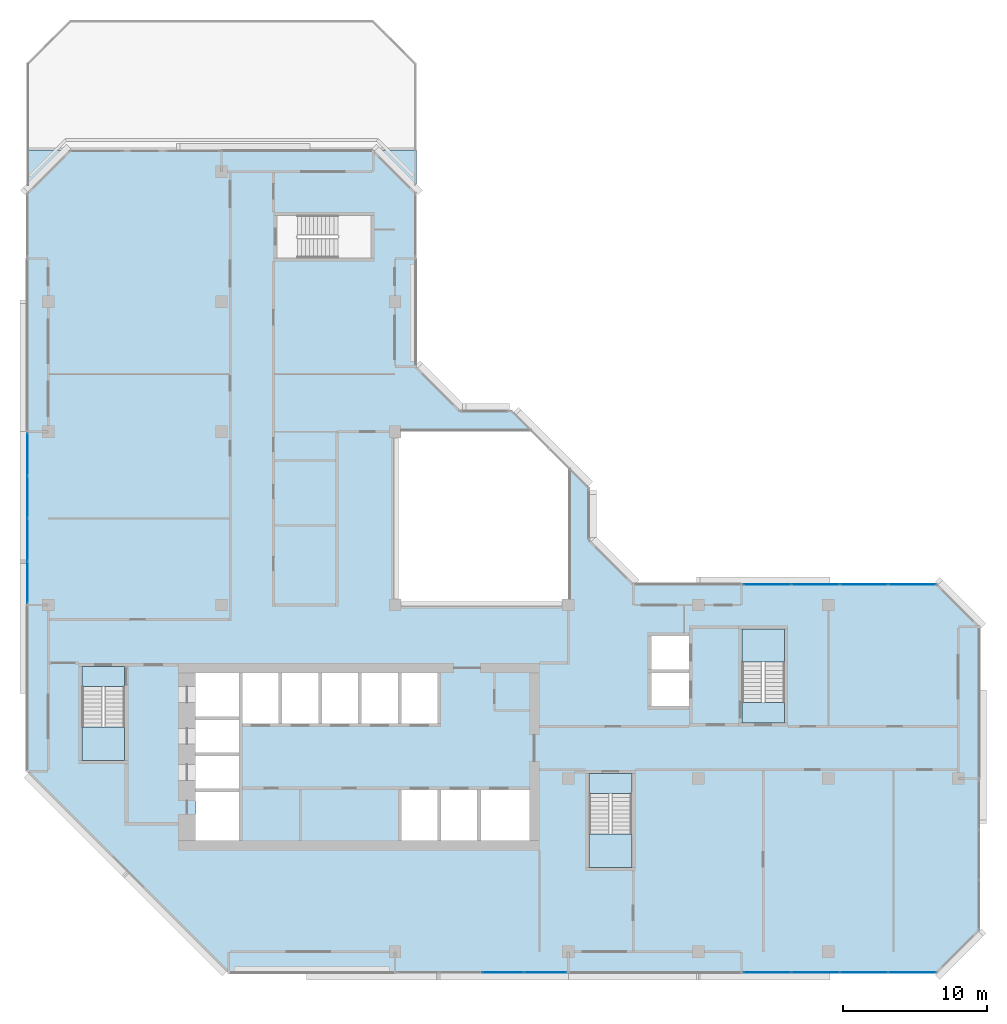
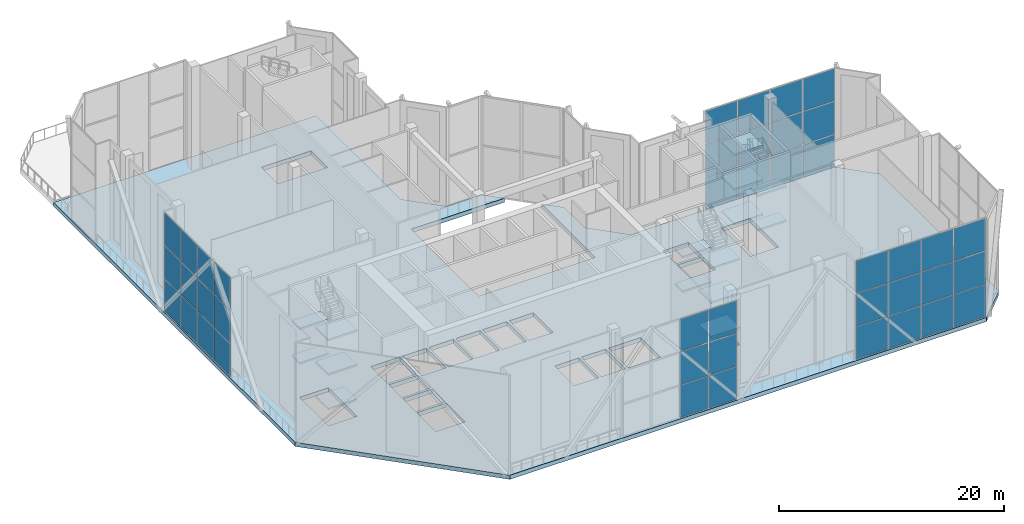
# One storey, part 8 of 18: 42 plates, 16 slabs, 7 elements without a shape of their own.
"""IFC4 building model written with IfcOpenShell, lengths in metres."""

from ifc_helpers import new_model, si_unit, direction, frame, origin, origin_2d, place, context, subcontext, project, spatial, polyline, rectangle, outline, extrude, material, layer, layer_set, type_object, element, aggregate, save


model = new_model("IFC4")

# Units and contexts
model_context = context("Model", 3, precision=1e-05, world=origin(), true_north=direction((0.0, 1.0)))
body_context = subcontext(model_context, "Body", "Model", "MODEL_VIEW")
ifc_project = project(units=[si_unit("LENGTHUNIT", "METRE"), si_unit("AREAUNIT", "SQUARE_METRE"), si_unit("VOLUMEUNIT", "CUBIC_METRE"), si_unit("PLANEANGLEUNIT", "RADIAN"), si_unit("MASSUNIT", "GRAM", prefix="KILO")], contexts=[model_context])

# Site, building, storey
site_placement = place(None, origin())
site = spatial("IfcSite", under=ifc_project, at=site_placement, CompositionType="ELEMENT")
building_placement = place(site_placement, origin())
building = spatial("IfcBuilding", under=site, at=building_placement, Name="Chenar Terraces", CompositionType="ELEMENT")
storey_placement = place(building_placement, frame((0.0, 0.0, 262.14990234375)))
storey = spatial("IfcBuildingStorey", under=building, at=storey_placement, Name="L62", CompositionType="ELEMENT", Elevation=262.14990234375)

# Stair, slabs
ifc_material_1 = material(Name="Reinforced concrete C40/50", Category="concrete")
stair_type = type_object("IfcStairType", Name="Core stair 1400 half-turn", PredefinedType="HALF_TURN_STAIR", material=ifc_material_1)
placement_1 = place(storey_placement, origin())
stair_1 = element("IfcStair", 1, at=placement_1, inside=storey, type_object=stair_type, Name="L62 Stair 1", PredefinedType="HALF_TURN_STAIR")
ifc_material_2 = material(Name="Reinforced concrete C40/50", Category="concrete")
ifc_layer_1 = layer(ifc_material_2, 0.199951171875)
ifc_layer_set_1 = layer_set([ifc_layer_1], Name="Reinforced concrete C40/50")
slab_type_1 = type_object("IfcSlabType", Name="Core stair landing 200", PredefinedType="LANDING", material=ifc_layer_set_1)
placement_2 = place(storey_placement, frame((0.0, 0.0, 1.675048828125)))
slab_1 = element("IfcSlab", 2, at=placement_2, type_object=slab_type_1, Name="ST1 landing 1", PredefinedType="LANDING", context=body_context, shape_type="SweptSolid", body=[
    extrude(outline(polyline([(2.35009765625, 15.550048828125), (2.35009765625, 13.25), (5.300048828125, 13.25), (5.300048828125, 15.550048828125), (2.35009765625, 15.550048828125)])), origin(), (0.0, 0.0, 1.0), 0.199951171875),
])
placement_3 = place(storey_placement, frame((0.0, 0.0, 3.550048828125)))
slab_2 = element("IfcSlab", 3, at=placement_3, type_object=slab_type_1, Name="ST1 landing 2", PredefinedType="LANDING", context=body_context, shape_type="SweptSolid", body=[
    extrude(outline(polyline([(2.35009765625, 19.75), (2.35009765625, 18.35009765625), (5.300048828125, 18.35009765625), (5.300048828125, 19.75), (2.35009765625, 19.75)])), origin(), (0.0, 0.0, 1.0), 0.199951171875),
])
placement_4 = place(storey_placement, frame((0.0, 0.0, 5.425048828125)))
slab_3 = element("IfcSlab", 4, at=placement_4, type_object=slab_type_1, Name="ST1 landing 3", PredefinedType="LANDING", context=body_context, shape_type="SweptSolid", body=[
    extrude(outline(polyline([(2.35009765625, 15.550048828125), (2.35009765625, 13.25), (5.300048828125, 13.25), (5.300048828125, 15.550048828125), (2.35009765625, 15.550048828125)])), origin(), (0.0, 0.0, 1.0), 0.199951171875),
])
placement_5 = place(storey_placement, frame((0.0, 0.0, 7.300048828125)))
slab_4 = element("IfcSlab", 5, at=placement_5, type_object=slab_type_1, Name="ST1 landing 4", PredefinedType="LANDING", context=body_context, shape_type="SweptSolid", body=[
    extrude(outline(polyline([(2.35009765625, 19.75), (2.35009765625, 18.35009765625), (5.300048828125, 18.35009765625), (5.300048828125, 19.75), (2.35009765625, 19.75)])), origin(), (0.0, 0.0, 1.0), 0.199951171875),
])
placement_6 = place(storey_placement, frame((0.0, 0.0, 9.175048828125)))
slab_5 = element("IfcSlab", 6, at=placement_6, type_object=slab_type_1, Name="ST1 landing 5", PredefinedType="LANDING", context=body_context, shape_type="SweptSolid", body=[
    extrude(outline(polyline([(2.35009765625, 15.550048828125), (2.35009765625, 13.25), (5.300048828125, 13.25), (5.300048828125, 15.550048828125), (2.35009765625, 15.550048828125)])), origin(), (0.0, 0.0, 1.0), 0.199951171875),
])
aggregate(stair_1, [slab_1, slab_2, slab_3, slab_4, slab_5])

stair_2 = element("IfcStair", 7, at=placement_1, inside=storey, type_object=stair_type, Name="L62 Stair 2", PredefinedType="HALF_TURN_STAIR")
slab_6 = element("IfcSlab", 8, at=placement_2, type_object=slab_type_1, Name="ST2 landing 1", PredefinedType="LANDING", context=body_context, shape_type="SweptSolid", body=[
    extrude(outline(polyline([(37.449951171875, 8.14990234375), (37.449951171875, 5.85009765625), (40.39990234375, 5.85009765625), (40.39990234375, 8.14990234375), (37.449951171875, 8.14990234375)])), origin(), (0.0, 0.0, 1.0), 0.199951171875),
])
slab_7 = element("IfcSlab", 9, at=placement_3, type_object=slab_type_1, Name="ST2 landing 2", PredefinedType="LANDING", context=body_context, shape_type="SweptSolid", body=[
    extrude(outline(polyline([(37.449951171875, 12.35009765625), (37.449951171875, 10.949951171875), (40.39990234375, 10.949951171875), (40.39990234375, 12.35009765625), (37.449951171875, 12.35009765625)])), origin(), (0.0, 0.0, 1.0), 0.199951171875),
])
slab_8 = element("IfcSlab", 10, at=placement_4, type_object=slab_type_1, Name="ST2 landing 3", PredefinedType="LANDING", context=body_context, shape_type="SweptSolid", body=[
    extrude(outline(polyline([(37.449951171875, 8.14990234375), (37.449951171875, 5.85009765625), (40.39990234375, 5.85009765625), (40.39990234375, 8.14990234375), (37.449951171875, 8.14990234375)])), origin(), (0.0, 0.0, 1.0), 0.199951171875),
])
slab_9 = element("IfcSlab", 11, at=placement_5, type_object=slab_type_1, Name="ST2 landing 4", PredefinedType="LANDING", context=body_context, shape_type="SweptSolid", body=[
    extrude(outline(polyline([(37.449951171875, 12.35009765625), (37.449951171875, 10.949951171875), (40.39990234375, 10.949951171875), (40.39990234375, 12.35009765625), (37.449951171875, 12.35009765625)])), origin(), (0.0, 0.0, 1.0), 0.199951171875),
])
slab_10 = element("IfcSlab", 12, at=placement_6, type_object=slab_type_1, Name="ST2 landing 5", PredefinedType="LANDING", context=body_context, shape_type="SweptSolid", body=[
    extrude(outline(polyline([(37.449951171875, 8.14990234375), (37.449951171875, 5.85009765625), (40.39990234375, 5.85009765625), (40.39990234375, 8.14990234375), (37.449951171875, 8.14990234375)])), origin(), (0.0, 0.0, 1.0), 0.199951171875),
])
aggregate(stair_2, [slab_6, slab_7, slab_8, slab_9, slab_10])

stair_3 = element("IfcStair", 13, at=placement_1, inside=storey, type_object=stair_type, Name="L62 Stair 3", PredefinedType="HALF_TURN_STAIR")
slab_11 = element("IfcSlab", 14, at=placement_2, type_object=slab_type_1, Name="ST3 landing 1", PredefinedType="LANDING", context=body_context, shape_type="SweptSolid", body=[
    extrude(outline(polyline([(50.97509765625, 20.050048828125), (50.97509765625, 22.35009765625), (48.02490234375, 22.35009765625), (48.02490234375, 20.050048828125), (50.97509765625, 20.050048828125)])), origin(), (0.0, 0.0, 1.0), 0.199951171875),
])
slab_12 = element("IfcSlab", 15, at=placement_3, type_object=slab_type_1, Name="ST3 landing 2", PredefinedType="LANDING", context=body_context, shape_type="SweptSolid", body=[
    extrude(outline(polyline([(50.97509765625, 15.85009765625), (50.97509765625, 17.25), (48.02490234375, 17.25), (48.02490234375, 15.85009765625), (50.97509765625, 15.85009765625)])), origin(), (0.0, 0.0, 1.0), 0.199951171875),
])
slab_13 = element("IfcSlab", 16, at=placement_4, type_object=slab_type_1, Name="ST3 landing 3", PredefinedType="LANDING", context=body_context, shape_type="SweptSolid", body=[
    extrude(outline(polyline([(50.97509765625, 20.050048828125), (50.97509765625, 22.35009765625), (48.02490234375, 22.35009765625), (48.02490234375, 20.050048828125), (50.97509765625, 20.050048828125)])), origin(), (0.0, 0.0, 1.0), 0.199951171875),
])
slab_14 = element("IfcSlab", 17, at=placement_5, type_object=slab_type_1, Name="ST3 landing 4", PredefinedType="LANDING", context=body_context, shape_type="SweptSolid", body=[
    extrude(outline(polyline([(50.97509765625, 15.85009765625), (50.97509765625, 17.25), (48.02490234375, 17.25), (48.02490234375, 15.85009765625), (50.97509765625, 15.85009765625)])), origin(), (0.0, 0.0, 1.0), 0.199951171875),
])
slab_15 = element("IfcSlab", 18, at=placement_6, type_object=slab_type_1, Name="ST3 landing 5", PredefinedType="LANDING", context=body_context, shape_type="SweptSolid", body=[
    extrude(outline(polyline([(50.97509765625, 20.050048828125), (50.97509765625, 22.35009765625), (48.02490234375, 22.35009765625), (48.02490234375, 20.050048828125), (50.97509765625, 20.050048828125)])), origin(), (0.0, 0.0, 1.0), 0.199951171875),
])
aggregate(stair_3, [slab_11, slab_12, slab_13, slab_14, slab_15])

# Slab
ifc_material_3 = material(Name="Concrete C40/50", Category="concrete")
ifc_layer_2 = layer(ifc_material_3, 0.449951171875)
ifc_layer_set_2 = layer_set([ifc_layer_2], Name="Concrete C40/50")
slab_type_2 = type_object("IfcSlabType", Name="Floor slab 450 Concrete C40/50", PredefinedType="FLOOR", material=ifc_layer_set_2)
slab_16_placement = place(storey_placement, frame((0.0, 0.0, -0.449951171875)))
element("IfcSlab", 19, at=slab_16_placement, inside=storey, type_object=slab_type_2, Name="Floor slab L62", PredefinedType="FLOOR", context=body_context, shape_type="SweptSolid", body=[
    extrude(outline(polyline([(-1.5, 55.5), (1.5, 55.5), (1.498046875, 55.498046875), (22.501953125, 55.498046875), (22.5, 55.5), (25.5, 55.5), (25.5, 52.5), (25.498046875, 52.501953125), (25.498046875, 40.499267578125), (28.499267578125, 37.498046875), (32.09912109375, 37.498046875), (33.59716796875, 36.0), (24.0, 36.0), (24.0, 24.0), (36.0, 24.0), (36.0, 33.59716796875), (37.498046875, 32.09912109375), (37.498046875, 28.499267578125), (40.499267578125, 25.498046875), (61.499267578125, 25.498046875), (64.498046875, 22.499267578125), (64.498046875, 1.500732421875), (61.499267578125, -1.498046875), (12.500732421875, -1.498046875), (-1.498046875, 12.500732421875), (-1.498046875, 52.501953125), (-1.5, 52.5), (-1.5, 55.5)]), holes=[polyline([(13.199951171875, 11.050048828125), (10.199951171875, 11.050048828125), (10.199951171875, 7.699951171875), (13.199951171875, 7.699951171875), (13.199951171875, 11.050048828125)]), polyline([(13.199951171875, 13.550048828125), (10.199951171875, 13.550048828125), (10.199951171875, 11.300048828125), (13.199951171875, 11.300048828125), (13.199951171875, 13.550048828125)]), polyline([(13.199951171875, 16.050048828125), (10.199951171875, 16.050048828125), (10.199951171875, 13.800048828125), (13.199951171875, 13.800048828125), (13.199951171875, 16.050048828125)]), polyline([(2.35009765625, 13.25), (5.300048828125, 13.25), (5.300048828125, 18.35009765625), (2.35009765625, 18.35009765625), (2.35009765625, 13.25)]), polyline([(15.949951171875, 19.300048828125), (13.449951171875, 19.300048828125), (13.449951171875, 15.800048828125), (15.949951171875, 15.800048828125), (15.949951171875, 19.300048828125)]), polyline([(18.699951171875, 19.300048828125), (16.199951171875, 19.300048828125), (16.199951171875, 15.800048828125), (18.699951171875, 15.800048828125), (18.699951171875, 19.300048828125)]), polyline([(21.449951171875, 19.300048828125), (18.949951171875, 19.300048828125), (18.949951171875, 15.800048828125), (21.449951171875, 15.800048828125), (21.449951171875, 19.300048828125)]), polyline([(24.199951171875, 15.800048828125), (24.199951171875, 19.300048828125), (21.699951171875, 19.300048828125), (21.699951171875, 15.800048828125), (24.199951171875, 15.800048828125)]), polyline([(13.199951171875, 16.300048828125), (13.199951171875, 19.300048828125), (10.199951171875, 19.300048828125), (10.199951171875, 16.300048828125), (13.199951171875, 16.300048828125)]), polyline([(22.35009765625, 48.02490234375), (22.35009765625, 50.97509765625), (17.25, 50.97509765625), (17.25, 48.02490234375), (22.35009765625, 48.02490234375)]), polyline([(37.449951171875, 5.85009765625), (40.39990234375, 5.85009765625), (40.39990234375, 10.949951171875), (37.449951171875, 10.949951171875), (37.449951171875, 5.85009765625)]), polyline([(26.949951171875, 11.199951171875), (24.449951171875, 11.199951171875), (24.449951171875, 7.699951171875), (26.949951171875, 7.699951171875), (26.949951171875, 11.199951171875)]), polyline([(29.699951171875, 7.699951171875), (29.699951171875, 11.199951171875), (27.199951171875, 11.199951171875), (27.199951171875, 7.699951171875), (29.699951171875, 7.699951171875)]), polyline([(33.300048828125, 7.699951171875), (33.300048828125, 11.199951171875), (29.949951171875, 11.199951171875), (29.949951171875, 7.699951171875), (33.300048828125, 7.699951171875)]), polyline([(26.949951171875, 19.300048828125), (24.449951171875, 19.300048828125), (24.449951171875, 15.800048828125), (26.949951171875, 15.800048828125), (26.949951171875, 19.300048828125)]), polyline([(44.35009765625, 19.300048828125), (41.75, 19.300048828125), (41.75, 17.0), (44.35009765625, 17.0), (44.35009765625, 19.300048828125)]), polyline([(50.97509765625, 22.35009765625), (48.02490234375, 22.35009765625), (48.02490234375, 17.25), (50.97509765625, 17.25), (50.97509765625, 22.35009765625)]), polyline([(44.35009765625, 19.550048828125), (44.35009765625, 21.85009765625), (41.75, 21.85009765625), (41.75, 19.550048828125), (44.35009765625, 19.550048828125)])]), origin(), (0.0, 0.0, 1.0), 0.449951171875),
])

# Curtain wall, plates
ifc_material_4 = material(Name="Aluminium framed glazing", Category="aluminium")
ifc_layer_3 = layer(ifc_material_4, 0.14990234375)
ifc_layer_set_3 = layer_set([ifc_layer_3], Name="Aluminium framed glazing")
curtain_wall_type = type_object("IfcCurtainWallType", Name="Sky garden curtain wall", PredefinedType="NOTDEFINED", material=ifc_layer_set_3)
curtain_wall_1 = element("IfcCurtainWall", 20, at=placement_1, inside=storey, type_object=curtain_wall_type, Name="Sky garden curtain wall", PredefinedType="NOTDEFINED")
ifc_material_5 = material(Name="Low emissivity laminated glass, solar control coating", Category="glass")
ifc_layer_4 = layer(ifc_material_5, 0.031982421875)
ifc_layer_set_4 = layer_set([ifc_layer_4], Name="Low emissivity laminated glass, solar control coating")
plate_type = type_object("IfcPlateType", Name="Sky garden glazing panel 32", PredefinedType="CURTAIN_PANEL", material=ifc_layer_set_4)
plate_1_placement = place(storey_placement, frame((59.8017578125, 25.425048828125, 0.080078125), z_axis=(0.0, 0.0, 1.0), x_axis=(-1.0, 0.0, 0.0)))
plate_1 = element("IfcPlate", 21, at=plate_1_placement, type_object=plate_type, Name="CW3-01 panel 1.1", PredefinedType="CURTAIN_PANEL", context=body_context, shape_type="SweptSolid", body=[
    extrude(rectangle(XDim=3.236328125, YDim=0.028076171875, at=origin_2d()), origin(), (0.0, 0.0, 1.0), 3.4970703125),
])
plate_2_placement = place(storey_placement, frame((59.8017578125, 25.425048828125, 3.6572265625), z_axis=(0.0, 0.0, 1.0), x_axis=(-1.0, 0.0, 0.0)))
plate_2 = element("IfcPlate", 22, at=plate_2_placement, type_object=plate_type, Name="CW3-01 panel 1.2", PredefinedType="CURTAIN_PANEL", context=body_context, shape_type="SweptSolid", body=[
    extrude(rectangle(XDim=3.236328125, YDim=0.028076171875, at=origin_2d()), origin(), (0.0, 0.0, 1.0), 3.535888671875),
])
plate_3_placement = place(storey_placement, frame((59.8017578125, 25.425048828125, 7.27294921875), z_axis=(0.0, 0.0, 1.0), x_axis=(-1.0, 0.0, 0.0)))
plate_3 = element("IfcPlate", 23, at=plate_3_placement, type_object=plate_type, Name="CW3-01 panel 1.3", PredefinedType="CURTAIN_PANEL", context=body_context, shape_type="SweptSolid", body=[
    extrude(rectangle(XDim=3.236328125, YDim=0.028076171875, at=origin_2d()), origin(), (0.0, 0.0, 1.0), 3.4970703125),
])
plate_4_placement = place(storey_placement, frame((56.465576171875, 25.425048828125, 0.080078125), z_axis=(0.0, 0.0, 1.0), x_axis=(-1.0, 0.0, 0.0)))
plate_4 = element("IfcPlate", 24, at=plate_4_placement, type_object=plate_type, Name="CW3-01 panel 2.1", PredefinedType="CURTAIN_PANEL", context=body_context, shape_type="SweptSolid", body=[
    extrude(rectangle(XDim=3.2763671875, YDim=0.028076171875, at=origin_2d()), origin(), (0.0, 0.0, 1.0), 3.4970703125),
])
plate_5_placement = place(storey_placement, frame((56.465576171875, 25.425048828125, 3.6572265625), z_axis=(0.0, 0.0, 1.0), x_axis=(-1.0, 0.0, 0.0)))
plate_5 = element("IfcPlate", 25, at=plate_5_placement, type_object=plate_type, Name="CW3-01 panel 2.2", PredefinedType="CURTAIN_PANEL", context=body_context, shape_type="SweptSolid", body=[
    extrude(rectangle(XDim=3.2763671875, YDim=0.028076171875, at=origin_2d()), origin(), (0.0, 0.0, 1.0), 3.535888671875),
])
plate_6_placement = place(storey_placement, frame((56.465576171875, 25.425048828125, 7.27294921875), z_axis=(0.0, 0.0, 1.0), x_axis=(-1.0, 0.0, 0.0)))
plate_6 = element("IfcPlate", 26, at=plate_6_placement, type_object=plate_type, Name="CW3-01 panel 2.3", PredefinedType="CURTAIN_PANEL", context=body_context, shape_type="SweptSolid", body=[
    extrude(rectangle(XDim=3.2763671875, YDim=0.028076171875, at=origin_2d()), origin(), (0.0, 0.0, 1.0), 3.4970703125),
])
plate_7_placement = place(storey_placement, frame((53.109375, 25.425048828125, 0.080078125), z_axis=(0.0, 0.0, 1.0), x_axis=(-1.0, 0.0, 0.0)))
plate_7 = element("IfcPlate", 27, at=plate_7_placement, type_object=plate_type, Name="CW3-01 panel 3.1", PredefinedType="CURTAIN_PANEL", context=body_context, shape_type="SweptSolid", body=[
    extrude(rectangle(XDim=3.2763671875, YDim=0.028076171875, at=origin_2d()), origin(), (0.0, 0.0, 1.0), 3.4970703125),
])
plate_8_placement = place(storey_placement, frame((53.109375, 25.425048828125, 3.6572265625), z_axis=(0.0, 0.0, 1.0), x_axis=(-1.0, 0.0, 0.0)))
plate_8 = element("IfcPlate", 28, at=plate_8_placement, type_object=plate_type, Name="CW3-01 panel 3.2", PredefinedType="CURTAIN_PANEL", context=body_context, shape_type="SweptSolid", body=[
    extrude(rectangle(XDim=3.2763671875, YDim=0.028076171875, at=origin_2d()), origin(), (0.0, 0.0, 1.0), 3.535888671875),
])
plate_9_placement = place(storey_placement, frame((53.109375, 25.425048828125, 7.27294921875), z_axis=(0.0, 0.0, 1.0), x_axis=(-1.0, 0.0, 0.0)))
plate_9 = element("IfcPlate", 29, at=plate_9_placement, type_object=plate_type, Name="CW3-01 panel 3.3", PredefinedType="CURTAIN_PANEL", context=body_context, shape_type="SweptSolid", body=[
    extrude(rectangle(XDim=3.2763671875, YDim=0.028076171875, at=origin_2d()), origin(), (0.0, 0.0, 1.0), 3.4970703125),
])
plate_10_placement = place(storey_placement, frame((49.773193359375, 25.425048828125, 0.080078125), z_axis=(0.0, 0.0, 1.0), x_axis=(-1.0, 0.0, 0.0)))
plate_10 = element("IfcPlate", 30, at=plate_10_placement, type_object=plate_type, Name="CW3-01 panel 4.1", PredefinedType="CURTAIN_PANEL", context=body_context, shape_type="SweptSolid", body=[
    extrude(rectangle(XDim=3.236328125, YDim=0.028076171875, at=origin_2d()), origin(), (0.0, 0.0, 1.0), 3.4970703125),
])
plate_11_placement = place(storey_placement, frame((49.773193359375, 25.425048828125, 3.6572265625), z_axis=(0.0, 0.0, 1.0), x_axis=(-1.0, 0.0, 0.0)))
plate_11 = element("IfcPlate", 31, at=plate_11_placement, type_object=plate_type, Name="CW3-01 panel 4.2", PredefinedType="CURTAIN_PANEL", context=body_context, shape_type="SweptSolid", body=[
    extrude(rectangle(XDim=3.236328125, YDim=0.028076171875, at=origin_2d()), origin(), (0.0, 0.0, 1.0), 3.535888671875),
])
plate_12_placement = place(storey_placement, frame((49.773193359375, 25.425048828125, 7.27294921875), z_axis=(0.0, 0.0, 1.0), x_axis=(-1.0, 0.0, 0.0)))
plate_12 = element("IfcPlate", 32, at=plate_12_placement, type_object=plate_type, Name="CW3-01 panel 4.3", PredefinedType="CURTAIN_PANEL", context=body_context, shape_type="SweptSolid", body=[
    extrude(rectangle(XDim=3.236328125, YDim=0.028076171875, at=origin_2d()), origin(), (0.0, 0.0, 1.0), 3.4970703125),
])
aggregate(curtain_wall_1, [plate_1, plate_2, plate_3, plate_4, plate_5, plate_6, plate_7, plate_8, plate_9, plate_10, plate_11, plate_12])

curtain_wall_2 = element("IfcCurtainWall", 33, at=placement_1, inside=storey, type_object=curtain_wall_type, Name="Sky garden curtain wall", PredefinedType="NOTDEFINED")
plate_13_placement = place(storey_placement, frame((-1.425048828125, 34.423828125, 0.080078125), z_axis=(0.0, 0.0, 1.0), x_axis=(0.0, -1.0, 0.0)))
plate_13 = element("IfcPlate", 34, at=plate_13_placement, type_object=plate_type, Name="CW3-06 panel 1.1", PredefinedType="CURTAIN_PANEL", context=body_context, shape_type="SweptSolid", body=[
    extrude(rectangle(XDim=2.842529296875, YDim=0.028076171875, at=origin_2d()), origin(), (0.0, 0.0, 1.0), 3.4970703125),
])
plate_14_placement = place(storey_placement, frame((-1.425048828125, 34.423828125, 3.6572265625), z_axis=(0.0, 0.0, 1.0), x_axis=(0.0, -1.0, 0.0)))
plate_14 = element("IfcPlate", 35, at=plate_14_placement, type_object=plate_type, Name="CW3-06 panel 1.2", PredefinedType="CURTAIN_PANEL", context=body_context, shape_type="SweptSolid", body=[
    extrude(rectangle(XDim=2.842529296875, YDim=0.028076171875, at=origin_2d()), origin(), (0.0, 0.0, 1.0), 3.535888671875),
])
plate_15_placement = place(storey_placement, frame((-1.425048828125, 34.423828125, 7.27294921875), z_axis=(0.0, 0.0, 1.0), x_axis=(0.0, -1.0, 0.0)))
plate_15 = element("IfcPlate", 36, at=plate_15_placement, type_object=plate_type, Name="CW3-06 panel 1.3", PredefinedType="CURTAIN_PANEL", context=body_context, shape_type="SweptSolid", body=[
    extrude(rectangle(XDim=2.842529296875, YDim=0.028076171875, at=origin_2d()), origin(), (0.0, 0.0, 1.0), 3.4970703125),
])
plate_16_placement = place(storey_placement, frame((-1.425048828125, 31.481201171875, 0.080078125), z_axis=(0.0, 0.0, 1.0), x_axis=(0.0, -1.0, 0.0)))
plate_16 = element("IfcPlate", 37, at=plate_16_placement, type_object=plate_type, Name="CW3-06 panel 2.1", PredefinedType="CURTAIN_PANEL", context=body_context, shape_type="SweptSolid", body=[
    extrude(rectangle(XDim=2.882568359375, YDim=0.028076171875, at=origin_2d()), origin(), (0.0, 0.0, 1.0), 3.4970703125),
])
plate_17_placement = place(storey_placement, frame((-1.425048828125, 31.481201171875, 3.6572265625), z_axis=(0.0, 0.0, 1.0), x_axis=(0.0, -1.0, 0.0)))
plate_17 = element("IfcPlate", 38, at=plate_17_placement, type_object=plate_type, Name="CW3-06 panel 2.2", PredefinedType="CURTAIN_PANEL", context=body_context, shape_type="SweptSolid", body=[
    extrude(rectangle(XDim=2.882568359375, YDim=0.028076171875, at=origin_2d()), origin(), (0.0, 0.0, 1.0), 3.535888671875),
])
plate_18_placement = place(storey_placement, frame((-1.425048828125, 31.481201171875, 7.27294921875), z_axis=(0.0, 0.0, 1.0), x_axis=(0.0, -1.0, 0.0)))
plate_18 = element("IfcPlate", 39, at=plate_18_placement, type_object=plate_type, Name="CW3-06 panel 2.3", PredefinedType="CURTAIN_PANEL", context=body_context, shape_type="SweptSolid", body=[
    extrude(rectangle(XDim=2.882568359375, YDim=0.028076171875, at=origin_2d()), origin(), (0.0, 0.0, 1.0), 3.4970703125),
])
plate_19_placement = place(storey_placement, frame((-1.425048828125, 28.518798828125, 0.080078125), z_axis=(0.0, 0.0, 1.0), x_axis=(0.0, -1.0, 0.0)))
plate_19 = element("IfcPlate", 40, at=plate_19_placement, type_object=plate_type, Name="CW3-06 panel 3.1", PredefinedType="CURTAIN_PANEL", context=body_context, shape_type="SweptSolid", body=[
    extrude(rectangle(XDim=2.882568359375, YDim=0.028076171875, at=origin_2d()), origin(), (0.0, 0.0, 1.0), 3.4970703125),
])
plate_20_placement = place(storey_placement, frame((-1.425048828125, 28.518798828125, 3.6572265625), z_axis=(0.0, 0.0, 1.0), x_axis=(0.0, -1.0, 0.0)))
plate_20 = element("IfcPlate", 41, at=plate_20_placement, type_object=plate_type, Name="CW3-06 panel 3.2", PredefinedType="CURTAIN_PANEL", context=body_context, shape_type="SweptSolid", body=[
    extrude(rectangle(XDim=2.882568359375, YDim=0.028076171875, at=origin_2d()), origin(), (0.0, 0.0, 1.0), 3.535888671875),
])
plate_21_placement = place(storey_placement, frame((-1.425048828125, 28.518798828125, 7.27294921875), z_axis=(0.0, 0.0, 1.0), x_axis=(0.0, -1.0, 0.0)))
plate_21 = element("IfcPlate", 42, at=plate_21_placement, type_object=plate_type, Name="CW3-06 panel 3.3", PredefinedType="CURTAIN_PANEL", context=body_context, shape_type="SweptSolid", body=[
    extrude(rectangle(XDim=2.882568359375, YDim=0.028076171875, at=origin_2d()), origin(), (0.0, 0.0, 1.0), 3.4970703125),
])
plate_22_placement = place(storey_placement, frame((-1.425048828125, 25.576171875, 0.080078125), z_axis=(0.0, 0.0, 1.0), x_axis=(0.0, -1.0, 0.0)))
plate_22 = element("IfcPlate", 43, at=plate_22_placement, type_object=plate_type, Name="CW3-06 panel 4.1", PredefinedType="CURTAIN_PANEL", context=body_context, shape_type="SweptSolid", body=[
    extrude(rectangle(XDim=2.842529296875, YDim=0.028076171875, at=origin_2d()), origin(), (0.0, 0.0, 1.0), 3.4970703125),
])
plate_23_placement = place(storey_placement, frame((-1.425048828125, 25.576171875, 3.6572265625), z_axis=(0.0, 0.0, 1.0), x_axis=(0.0, -1.0, 0.0)))
plate_23 = element("IfcPlate", 44, at=plate_23_placement, type_object=plate_type, Name="CW3-06 panel 4.2", PredefinedType="CURTAIN_PANEL", context=body_context, shape_type="SweptSolid", body=[
    extrude(rectangle(XDim=2.842529296875, YDim=0.028076171875, at=origin_2d()), origin(), (0.0, 0.0, 1.0), 3.535888671875),
])
plate_24_placement = place(storey_placement, frame((-1.425048828125, 25.576171875, 7.27294921875), z_axis=(0.0, 0.0, 1.0), x_axis=(0.0, -1.0, 0.0)))
plate_24 = element("IfcPlate", 45, at=plate_24_placement, type_object=plate_type, Name="CW3-06 panel 4.3", PredefinedType="CURTAIN_PANEL", context=body_context, shape_type="SweptSolid", body=[
    extrude(rectangle(XDim=2.842529296875, YDim=0.028076171875, at=origin_2d()), origin(), (0.0, 0.0, 1.0), 3.4970703125),
])
aggregate(curtain_wall_2, [plate_13, plate_14, plate_15, plate_16, plate_17, plate_18, plate_19, plate_20, plate_21, plate_22, plate_23, plate_24])

curtain_wall_3 = element("IfcCurtainWall", 46, at=placement_1, inside=storey, type_object=curtain_wall_type, Name="Sky garden curtain wall", PredefinedType="NOTDEFINED")
plate_25_placement = place(storey_placement, frame((31.481201171875, -1.425048828125, 0.080078125), z_axis=(0.0, 0.0, 1.0), x_axis=(1.0, 0.0, 0.0)))
plate_25 = element("IfcPlate", 47, at=plate_25_placement, type_object=plate_type, Name="CW3-07 panel 3.1", PredefinedType="CURTAIN_PANEL", context=body_context, shape_type="SweptSolid", body=[
    extrude(rectangle(XDim=2.882568359375, YDim=0.028076171875, at=origin_2d()), origin(), (0.0, 0.0, 1.0), 3.4970703125),
])
plate_26_placement = place(storey_placement, frame((31.481201171875, -1.425048828125, 3.6572265625), z_axis=(0.0, 0.0, 1.0), x_axis=(1.0, 0.0, 0.0)))
plate_26 = element("IfcPlate", 48, at=plate_26_placement, type_object=plate_type, Name="CW3-07 panel 3.2", PredefinedType="CURTAIN_PANEL", context=body_context, shape_type="SweptSolid", body=[
    extrude(rectangle(XDim=2.882568359375, YDim=0.028076171875, at=origin_2d()), origin(), (0.0, 0.0, 1.0), 3.535888671875),
])
plate_27_placement = place(storey_placement, frame((31.481201171875, -1.425048828125, 7.27294921875), z_axis=(0.0, 0.0, 1.0), x_axis=(1.0, 0.0, 0.0)))
plate_27 = element("IfcPlate", 49, at=plate_27_placement, type_object=plate_type, Name="CW3-07 panel 3.3", PredefinedType="CURTAIN_PANEL", context=body_context, shape_type="SweptSolid", body=[
    extrude(rectangle(XDim=2.882568359375, YDim=0.028076171875, at=origin_2d()), origin(), (0.0, 0.0, 1.0), 3.4970703125),
])
plate_28_placement = place(storey_placement, frame((34.423828125, -1.425048828125, 0.080078125), z_axis=(0.0, 0.0, 1.0), x_axis=(1.0, 0.0, 0.0)))
plate_28 = element("IfcPlate", 50, at=plate_28_placement, type_object=plate_type, Name="CW3-07 panel 4.1", PredefinedType="CURTAIN_PANEL", context=body_context, shape_type="SweptSolid", body=[
    extrude(rectangle(XDim=2.842529296875, YDim=0.028076171875, at=origin_2d()), origin(), (0.0, 0.0, 1.0), 3.4970703125),
])
plate_29_placement = place(storey_placement, frame((34.423828125, -1.425048828125, 3.6572265625), z_axis=(0.0, 0.0, 1.0), x_axis=(1.0, 0.0, 0.0)))
plate_29 = element("IfcPlate", 51, at=plate_29_placement, type_object=plate_type, Name="CW3-07 panel 4.2", PredefinedType="CURTAIN_PANEL", context=body_context, shape_type="SweptSolid", body=[
    extrude(rectangle(XDim=2.842529296875, YDim=0.028076171875, at=origin_2d()), origin(), (0.0, 0.0, 1.0), 3.535888671875),
])
plate_30_placement = place(storey_placement, frame((34.423828125, -1.425048828125, 7.27294921875), z_axis=(0.0, 0.0, 1.0), x_axis=(1.0, 0.0, 0.0)))
plate_30 = element("IfcPlate", 52, at=plate_30_placement, type_object=plate_type, Name="CW3-07 panel 4.3", PredefinedType="CURTAIN_PANEL", context=body_context, shape_type="SweptSolid", body=[
    extrude(rectangle(XDim=2.842529296875, YDim=0.028076171875, at=origin_2d()), origin(), (0.0, 0.0, 1.0), 3.4970703125),
])
aggregate(curtain_wall_3, [plate_25, plate_26, plate_27, plate_28, plate_29, plate_30])

curtain_wall_4 = element("IfcCurtainWall", 53, at=placement_1, inside=storey, type_object=curtain_wall_type, Name="Sky garden curtain wall", PredefinedType="NOTDEFINED")
plate_31_placement = place(storey_placement, frame((49.773193359375, -1.425048828125, 0.080078125), z_axis=(0.0, 0.0, 1.0), x_axis=(1.0, 0.0, 0.0)))
plate_31 = element("IfcPlate", 54, at=plate_31_placement, type_object=plate_type, Name="CW3-08 panel 1.1", PredefinedType="CURTAIN_PANEL", context=body_context, shape_type="SweptSolid", body=[
    extrude(rectangle(XDim=3.236328125, YDim=0.028076171875, at=origin_2d()), origin(), (0.0, 0.0, 1.0), 3.4970703125),
])
plate_32_placement = place(storey_placement, frame((49.773193359375, -1.425048828125, 3.6572265625), z_axis=(0.0, 0.0, 1.0), x_axis=(1.0, 0.0, 0.0)))
plate_32 = element("IfcPlate", 55, at=plate_32_placement, type_object=plate_type, Name="CW3-08 panel 1.2", PredefinedType="CURTAIN_PANEL", context=body_context, shape_type="SweptSolid", body=[
    extrude(rectangle(XDim=3.236328125, YDim=0.028076171875, at=origin_2d()), origin(), (0.0, 0.0, 1.0), 3.535888671875),
])
plate_33_placement = place(storey_placement, frame((49.773193359375, -1.425048828125, 7.27294921875), z_axis=(0.0, 0.0, 1.0), x_axis=(1.0, 0.0, 0.0)))
plate_33 = element("IfcPlate", 56, at=plate_33_placement, type_object=plate_type, Name="CW3-08 panel 1.3", PredefinedType="CURTAIN_PANEL", context=body_context, shape_type="SweptSolid", body=[
    extrude(rectangle(XDim=3.236328125, YDim=0.028076171875, at=origin_2d()), origin(), (0.0, 0.0, 1.0), 3.4970703125),
])
plate_34_placement = place(storey_placement, frame((53.109375, -1.425048828125, 0.080078125), z_axis=(0.0, 0.0, 1.0), x_axis=(1.0, 0.0, 0.0)))
plate_34 = element("IfcPlate", 57, at=plate_34_placement, type_object=plate_type, Name="CW3-08 panel 2.1", PredefinedType="CURTAIN_PANEL", context=body_context, shape_type="SweptSolid", body=[
    extrude(rectangle(XDim=3.2763671875, YDim=0.028076171875, at=origin_2d()), origin(), (0.0, 0.0, 1.0), 3.4970703125),
])
plate_35_placement = place(storey_placement, frame((53.109375, -1.425048828125, 3.6572265625), z_axis=(0.0, 0.0, 1.0), x_axis=(1.0, 0.0, 0.0)))
plate_35 = element("IfcPlate", 58, at=plate_35_placement, type_object=plate_type, Name="CW3-08 panel 2.2", PredefinedType="CURTAIN_PANEL", context=body_context, shape_type="SweptSolid", body=[
    extrude(rectangle(XDim=3.2763671875, YDim=0.028076171875, at=origin_2d()), origin(), (0.0, 0.0, 1.0), 3.535888671875),
])
plate_36_placement = place(storey_placement, frame((53.109375, -1.425048828125, 7.27294921875), z_axis=(0.0, 0.0, 1.0), x_axis=(1.0, 0.0, 0.0)))
plate_36 = element("IfcPlate", 59, at=plate_36_placement, type_object=plate_type, Name="CW3-08 panel 2.3", PredefinedType="CURTAIN_PANEL", context=body_context, shape_type="SweptSolid", body=[
    extrude(rectangle(XDim=3.2763671875, YDim=0.028076171875, at=origin_2d()), origin(), (0.0, 0.0, 1.0), 3.4970703125),
])
plate_37_placement = place(storey_placement, frame((56.465576171875, -1.425048828125, 0.080078125), z_axis=(0.0, 0.0, 1.0), x_axis=(1.0, 0.0, 0.0)))
plate_37 = element("IfcPlate", 60, at=plate_37_placement, type_object=plate_type, Name="CW3-08 panel 3.1", PredefinedType="CURTAIN_PANEL", context=body_context, shape_type="SweptSolid", body=[
    extrude(rectangle(XDim=3.2763671875, YDim=0.028076171875, at=origin_2d()), origin(), (0.0, 0.0, 1.0), 3.4970703125),
])
plate_38_placement = place(storey_placement, frame((56.465576171875, -1.425048828125, 3.6572265625), z_axis=(0.0, 0.0, 1.0), x_axis=(1.0, 0.0, 0.0)))
plate_38 = element("IfcPlate", 61, at=plate_38_placement, type_object=plate_type, Name="CW3-08 panel 3.2", PredefinedType="CURTAIN_PANEL", context=body_context, shape_type="SweptSolid", body=[
    extrude(rectangle(XDim=3.2763671875, YDim=0.028076171875, at=origin_2d()), origin(), (0.0, 0.0, 1.0), 3.535888671875),
])
plate_39_placement = place(storey_placement, frame((56.465576171875, -1.425048828125, 7.27294921875), z_axis=(0.0, 0.0, 1.0), x_axis=(1.0, 0.0, 0.0)))
plate_39 = element("IfcPlate", 62, at=plate_39_placement, type_object=plate_type, Name="CW3-08 panel 3.3", PredefinedType="CURTAIN_PANEL", context=body_context, shape_type="SweptSolid", body=[
    extrude(rectangle(XDim=3.2763671875, YDim=0.028076171875, at=origin_2d()), origin(), (0.0, 0.0, 1.0), 3.4970703125),
])
plate_40_placement = place(storey_placement, frame((59.8017578125, -1.425048828125, 0.080078125), z_axis=(0.0, 0.0, 1.0), x_axis=(1.0, 0.0, 0.0)))
plate_40 = element("IfcPlate", 63, at=plate_40_placement, type_object=plate_type, Name="CW3-08 panel 4.1", PredefinedType="CURTAIN_PANEL", context=body_context, shape_type="SweptSolid", body=[
    extrude(rectangle(XDim=3.236328125, YDim=0.028076171875, at=origin_2d()), origin(), (0.0, 0.0, 1.0), 3.4970703125),
])
plate_41_placement = place(storey_placement, frame((59.8017578125, -1.425048828125, 3.6572265625), z_axis=(0.0, 0.0, 1.0), x_axis=(1.0, 0.0, 0.0)))
plate_41 = element("IfcPlate", 64, at=plate_41_placement, type_object=plate_type, Name="CW3-08 panel 4.2", PredefinedType="CURTAIN_PANEL", context=body_context, shape_type="SweptSolid", body=[
    extrude(rectangle(XDim=3.236328125, YDim=0.028076171875, at=origin_2d()), origin(), (0.0, 0.0, 1.0), 3.535888671875),
])
plate_42_placement = place(storey_placement, frame((59.8017578125, -1.425048828125, 7.27294921875), z_axis=(0.0, 0.0, 1.0), x_axis=(1.0, 0.0, 0.0)))
plate_42 = element("IfcPlate", 65, at=plate_42_placement, type_object=plate_type, Name="CW3-08 panel 4.3", PredefinedType="CURTAIN_PANEL", context=body_context, shape_type="SweptSolid", body=[
    extrude(rectangle(XDim=3.236328125, YDim=0.028076171875, at=origin_2d()), origin(), (0.0, 0.0, 1.0), 3.4970703125),
])
aggregate(curtain_wall_4, [plate_31, plate_32, plate_33, plate_34, plate_35, plate_36, plate_37, plate_38, plate_39, plate_40, plate_41, plate_42])

save(model, "model.ifc")
